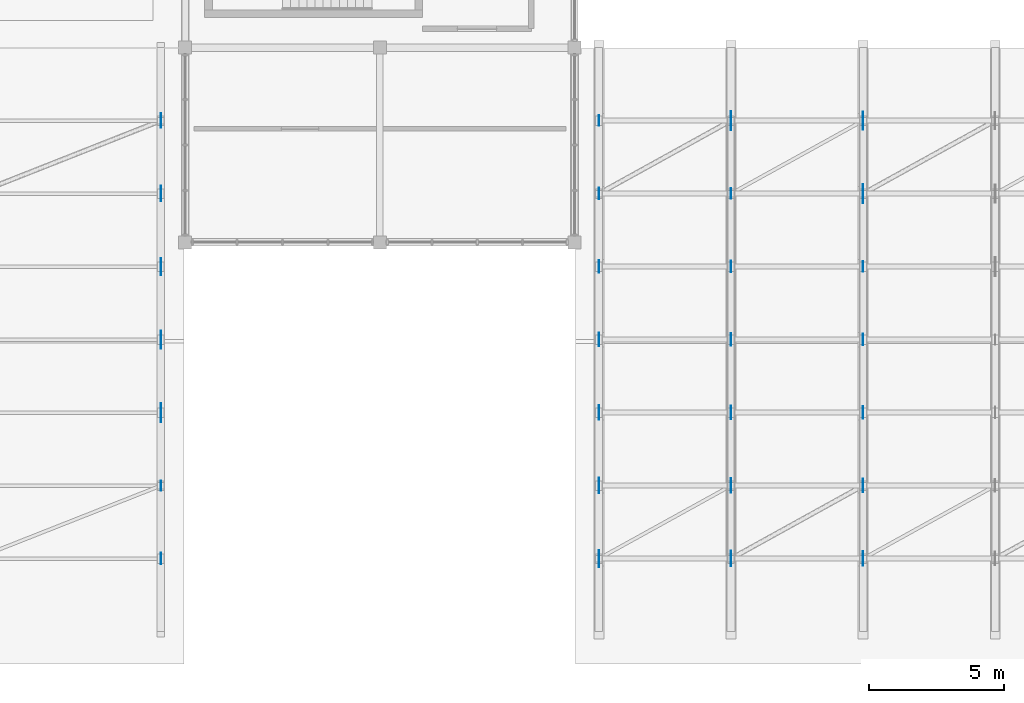
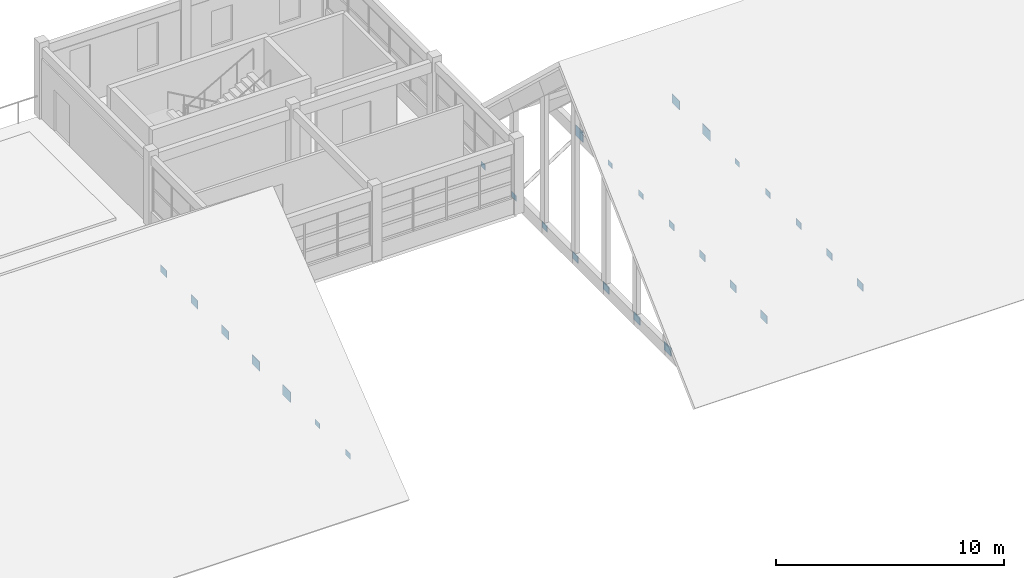
# One storey, part 43 of 79: 28 plates.
"""IFC4 building model written with IfcOpenShell, lengths in metres."""

from ifc_helpers import new_model, si_unit, direction, frame, origin, origin_2d, place, context, subcontext, project, spatial, rectangle, extrude, material, layer, layer_set, type_object, element, save


model = new_model("IFC4")

# Units and contexts
model_context = context("Model", 3, precision=1e-05, world=origin(), true_north=direction((0.0, 1.0)))
body_context = subcontext(model_context, "Body", "Model", "MODEL_VIEW")
ifc_project = project(units=[si_unit("LENGTHUNIT", "METRE"), si_unit("AREAUNIT", "SQUARE_METRE"), si_unit("VOLUMEUNIT", "CUBIC_METRE"), si_unit("PLANEANGLEUNIT", "RADIAN"), si_unit("MASSUNIT", "GRAM", prefix="KILO")], contexts=[model_context])

# Site, building, storey
site_placement = place(None, origin())
site = spatial("IfcSite", under=ifc_project, at=site_placement, CompositionType="ELEMENT")
building_placement = place(site_placement, origin())
building = spatial("IfcBuilding", under=site, at=building_placement, Name="Nzembalo Square Collegiate School", CompositionType="ELEMENT")
storey_placement = place(building_placement, frame((0.0, 0.0, 9.52001953125)))
storey = spatial("IfcBuildingStorey", under=building, at=storey_placement, Name="L02", CompositionType="ELEMENT", Elevation=9.52001953125)

# Plates
ifc_material_1 = material(Name="Steel S355", Category="steel")
ifc_layer_1 = layer(ifc_material_1, 0.02392578125, Name="Steel S355")
ifc_layer_set_1 = layer_set([ifc_layer_1], Name="Steel S355")
plate_type_1 = type_object("IfcPlateType", Name="TN01", PredefinedType="SHEET", material=ifc_layer_set_1)
for number, where, z_axis, x_axis, name in (
    (1, (96.985595703125, 101.699951171875, -0.8701171875), (0.0, 0.0, 1.0), (0.0, 1.0, 0.0), "GT-AH1-02 gusset plate TN01"),
    (2, (101.871337890625, 99.0, -0.8701171875), (0.0, 0.0, 1.0), (0.0, 1.0, 0.0), "GT-AH1-03 gusset plate TN01"),
    (3, (75.89990234375, 90.89990234375, -0.8701171875), (0.0, 0.0, 1.0), (0.0, 1.0, 0.0), "GT-DH1-06 gusset plate TN01"),
):
    element("IfcPlate", number, at=place(storey_placement, frame(where, z_axis=z_axis, x_axis=x_axis)), inside=storey, type_object=plate_type_1, Name=name, PredefinedType="SHEET", context=body_context, shape_type="SweptSolid", body=[
        extrude(rectangle(XDim=0.699951171875, YDim=0.02392578125, at=origin_2d()), origin(), (0.0, 0.0, 1.0), 0.5400390625),
    ])
ifc_material_2 = material(Name="Steel S355", Category="steel")
ifc_layer_2 = layer(ifc_material_2, 0.02197265625, Name="Steel S355")
ifc_layer_set_2 = layer_set([ifc_layer_2], Name="Steel S355")
plate_type_2 = type_object("IfcPlateType", Name="TN02", PredefinedType="SHEET", material=ifc_layer_set_2)
for number, where, z_axis, x_axis, name in (
    (4, (101.871337890625, 101.699951171875, -0.85009765625), (0.0, 0.0, 1.0), (0.0, 1.0, 0.0), "GT-AH1-03 gusset plate TN02"),
    (5, (75.89990234375, 93.60009765625, -0.85009765625), (0.0, 0.0, 1.0), (0.0, 1.0, 0.0), "GT-DH1-06 gusset plate TN02"),
):
    element("IfcPlate", number, at=place(storey_placement, frame(where, z_axis=z_axis, x_axis=x_axis)), inside=storey, type_object=plate_type_2, Name=name, PredefinedType="SHEET", context=body_context, shape_type="SweptSolid", body=[
        extrude(rectangle(XDim=0.659912109375, YDim=0.02197265625, at=origin_2d()), origin(), (0.0, 0.0, 1.0), 0.5),
    ])
ifc_material_3 = material(Name="Steel S355", Category="steel")
ifc_layer_3 = layer(ifc_material_3, 0.02001953125, Name="Steel S355")
ifc_layer_set_3 = layer_set([ifc_layer_3], Name="Steel S355")
plate_type_3 = type_object("IfcPlateType", Name="TN03", PredefinedType="SHEET", material=ifc_layer_set_3)
for number, where, z_axis, x_axis, name in (
    (6, (92.10009765625, 85.5, -0.830078125), (0.0, 0.0, 1.0), (0.0, 1.0, 0.0), "GT-AH1-01 gusset plate TN03"),
    (7, (75.89990234375, 96.300048828125, -0.830078125), (0.0, 0.0, 1.0), (0.0, 1.0, 0.0), "GT-DH1-06 gusset plate TN03"),
):
    element("IfcPlate", number, at=place(storey_placement, frame(where, z_axis=z_axis, x_axis=x_axis)), inside=storey, type_object=plate_type_3, Name=name, PredefinedType="SHEET", context=body_context, shape_type="SweptSolid", body=[
        extrude(rectangle(XDim=0.6201171875, YDim=0.02001953125, at=origin_2d()), origin(), (0.0, 0.0, 1.0), 0.4599609375),
    ])
ifc_material_4 = material(Name="Steel S355", Category="steel")
ifc_layer_4 = layer(ifc_material_4, 0.02001953125, Name="Steel S355")
ifc_layer_set_4 = layer_set([ifc_layer_4], Name="Steel S355")
plate_type_4 = type_object("IfcPlateType", Name="TN04", PredefinedType="SHEET", material=ifc_layer_set_4)
for number, where, z_axis, x_axis, name in (
    (8, (92.10009765625, 88.199951171875, -0.820068359375), (0.0, 0.0, 1.0), (0.0, 1.0, 0.0), "GT-AH1-01 gusset plate TN04"),
    (9, (96.985595703125, 85.5, -0.820068359375), (0.0, 0.0, 1.0), (0.0, 1.0, 0.0), "GT-AH1-02 gusset plate TN04"),
    (10, (75.89990234375, 99.0, -0.820068359375), (0.0, 0.0, 1.0), (0.0, 1.0, 0.0), "GT-DH1-06 gusset plate TN04"),
):
    element("IfcPlate", number, at=place(storey_placement, frame(where, z_axis=z_axis, x_axis=x_axis)), inside=storey, type_object=plate_type_4, Name=name, PredefinedType="SHEET", context=body_context, shape_type="SweptSolid", body=[
        extrude(rectangle(XDim=0.580078125, YDim=0.02001953125, at=origin_2d()), origin(), (0.0, 0.0, 1.0), 0.43994140625),
    ])
ifc_material_5 = material(Name="Steel S355", Category="steel")
ifc_layer_5 = layer(ifc_material_5, 0.01806640625, Name="Steel S355")
ifc_layer_set_5 = layer_set([ifc_layer_5], Name="Steel S355")
plate_type_5 = type_object("IfcPlateType", Name="TN05", PredefinedType="SHEET", material=ifc_layer_set_5)
for number, where, z_axis, x_axis, name in (
    (11, (92.10009765625, 90.89990234375, -0.800048828125), (0.0, 0.0, 1.0), (0.0, 1.0, 0.0), "GT-AH1-01 gusset plate TN05"),
    (12, (96.985595703125, 88.199951171875, -0.800048828125), (0.0, 0.0, 1.0), (0.0, 1.0, 0.0), "GT-AH1-02 gusset plate TN05"),
    (13, (101.871337890625, 85.5, -0.800048828125), (0.0, 0.0, 1.0), (0.0, 1.0, 0.0), "GT-AH1-03 gusset plate TN05"),
    (14, (75.89990234375, 101.699951171875, -0.800048828125), (0.0, 0.0, 1.0), (0.0, 1.0, 0.0), "GT-DH1-06 gusset plate TN05"),
):
    element("IfcPlate", number, at=place(storey_placement, frame(where, z_axis=z_axis, x_axis=x_axis)), inside=storey, type_object=plate_type_5, Name=name, PredefinedType="SHEET", context=body_context, shape_type="SweptSolid", body=[
        extrude(rectangle(XDim=0.5400390625, YDim=0.01806640625, at=origin_2d()), origin(), (0.0, 0.0, 1.0), 0.39990234375),
    ])
ifc_material_6 = material(Name="Steel S355", Category="steel")
ifc_layer_6 = layer(ifc_material_6, 0.01611328125, Name="Steel S355")
ifc_layer_set_6 = layer_set([ifc_layer_6], Name="Steel S355")
plate_type_6 = type_object("IfcPlateType", Name="TN06", PredefinedType="SHEET", material=ifc_layer_set_6)
for number, where, z_axis, x_axis, name in (
    (15, (92.10009765625, 93.60009765625, -0.7900390625), (0.0, 0.0, 1.0), (0.0, 1.0, 0.0), "GT-AH1-01 gusset plate TN06"),
    (16, (96.985595703125, 90.89990234375, -0.7900390625), (0.0, 0.0, 1.0), (0.0, 1.0, 0.0), "GT-AH1-02 gusset plate TN06"),
    (17, (101.871337890625, 88.199951171875, -0.7900390625), (0.0, 0.0, 1.0), (0.0, 1.0, 0.0), "GT-AH1-03 gusset plate TN06"),
):
    element("IfcPlate", number, at=place(storey_placement, frame(where, z_axis=z_axis, x_axis=x_axis)), inside=storey, type_object=plate_type_6, Name=name, PredefinedType="SHEET", context=body_context, shape_type="SweptSolid", body=[
        extrude(rectangle(XDim=0.5, YDim=0.01611328125, at=origin_2d()), origin(), (0.0, 0.0, 1.0), 0.3798828125),
    ])
ifc_material_7 = material(Name="Steel S355", Category="steel")
ifc_layer_7 = layer(ifc_material_7, 0.01611328125, Name="Steel S355")
ifc_layer_set_7 = layer_set([ifc_layer_7], Name="Steel S355")
plate_type_7 = type_object("IfcPlateType", Name="TN07", PredefinedType="SHEET", material=ifc_layer_set_7)
for number, where, z_axis, x_axis, name in (
    (18, (92.10009765625, 96.300048828125, -0.775146484375), (0.0, 0.0, 1.0), (0.0, 1.0, 0.0), "GT-AH1-01 gusset plate TN07"),
    (19, (96.985595703125, 93.60009765625, -0.775146484375), (0.0, 0.0, 1.0), (0.0, 1.0, 0.0), "GT-AH1-02 gusset plate TN07"),
    (20, (101.871337890625, 90.89990234375, -0.775146484375), (0.0, 0.0, 1.0), (0.0, 1.0, 0.0), "GT-AH1-03 gusset plate TN07"),
):
    element("IfcPlate", number, at=place(storey_placement, frame(where, z_axis=z_axis, x_axis=x_axis)), inside=storey, type_object=plate_type_7, Name=name, PredefinedType="SHEET", context=body_context, shape_type="SweptSolid", body=[
        extrude(rectangle(XDim=0.4599609375, YDim=0.01611328125, at=origin_2d()), origin(), (0.0, 0.0, 1.0), 0.35009765625),
    ])
ifc_material_8 = material(Name="Steel S355", Category="steel")
ifc_layer_8 = layer(ifc_material_8, 0.013916015625, Name="Steel S355")
ifc_layer_set_8 = layer_set([ifc_layer_8], Name="Steel S355")
plate_type_8 = type_object("IfcPlateType", Name="TN08", PredefinedType="SHEET", material=ifc_layer_set_8)
for number, where, z_axis, x_axis, name in (
    (21, (92.10009765625, 99.0, -0.76025390625), (0.0, 0.0, 1.0), (0.0, 1.0, 0.0), "GT-AH1-01 gusset plate TN08"),
    (22, (96.985595703125, 96.300048828125, -0.76025390625), (0.0, 0.0, 1.0), (0.0, 1.0, 0.0), "GT-AH1-02 gusset plate TN08"),
    (23, (101.871337890625, 93.60009765625, -0.76025390625), (0.0, 0.0, 1.0), (0.0, 1.0, 0.0), "GT-AH1-03 gusset plate TN08"),
    (24, (75.89990234375, 85.5, -0.76025390625), (0.0, 0.0, 1.0), (0.0, 1.0, 0.0), "GT-DH1-06 gusset plate TN08"),
):
    element("IfcPlate", number, at=place(storey_placement, frame(where, z_axis=z_axis, x_axis=x_axis)), inside=storey, type_object=plate_type_8, Name=name, PredefinedType="SHEET", context=body_context, shape_type="SweptSolid", body=[
        extrude(rectangle(XDim=0.419921875, YDim=0.013916015625, at=origin_2d()), origin(), (0.0, 0.0, 1.0), 0.320068359375),
    ])
ifc_material_9 = material(Name="Steel S355", Category="steel")
ifc_layer_9 = layer(ifc_material_9, 0.013916015625, Name="Steel S355")
ifc_layer_set_9 = layer_set([ifc_layer_9], Name="Steel S355")
plate_type_9 = type_object("IfcPlateType", Name="TN09", PredefinedType="SHEET", material=ifc_layer_set_9)
for number, where, z_axis, x_axis, name in (
    (25, (92.10009765625, 101.699951171875, -0.7451171875), (0.0, 0.0, 1.0), (0.0, 1.0, 0.0), "GT-AH1-01 gusset plate TN09"),
    (26, (96.985595703125, 99.0, -0.7451171875), (0.0, 0.0, 1.0), (0.0, 1.0, 0.0), "GT-AH1-02 gusset plate TN09"),
    (27, (101.871337890625, 96.300048828125, -0.7451171875), (0.0, 0.0, 1.0), (0.0, 1.0, 0.0), "GT-AH1-03 gusset plate TN09"),
    (28, (75.89990234375, 88.199951171875, -0.7451171875), (0.0, 0.0, 1.0), (0.0, 1.0, 0.0), "GT-DH1-06 gusset plate TN09"),
):
    element("IfcPlate", number, at=place(storey_placement, frame(where, z_axis=z_axis, x_axis=x_axis)), inside=storey, type_object=plate_type_9, Name=name, PredefinedType="SHEET", context=body_context, shape_type="SweptSolid", body=[
        extrude(rectangle(XDim=0.3798828125, YDim=0.013916015625, at=origin_2d()), origin(), (0.0, 0.0, 1.0), 0.2900390625),
    ])

save(model, "model.ifc")
